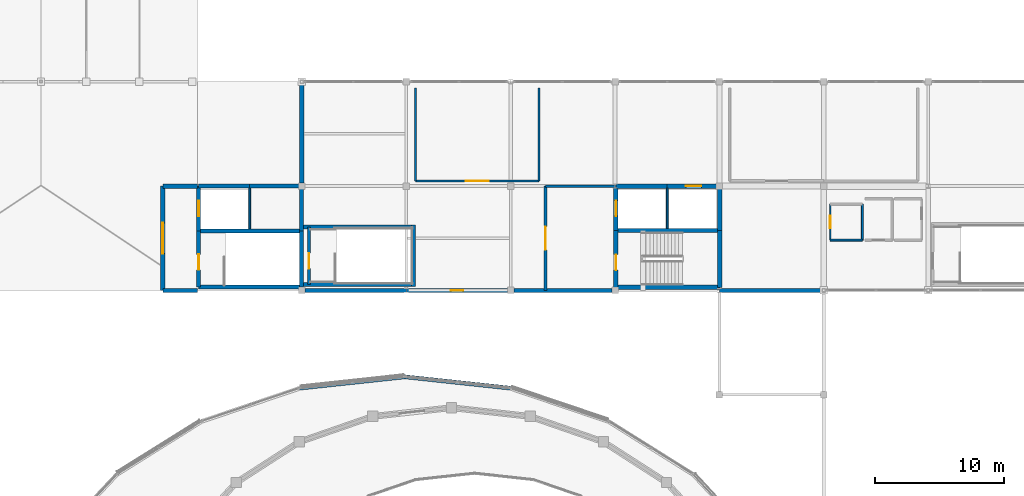
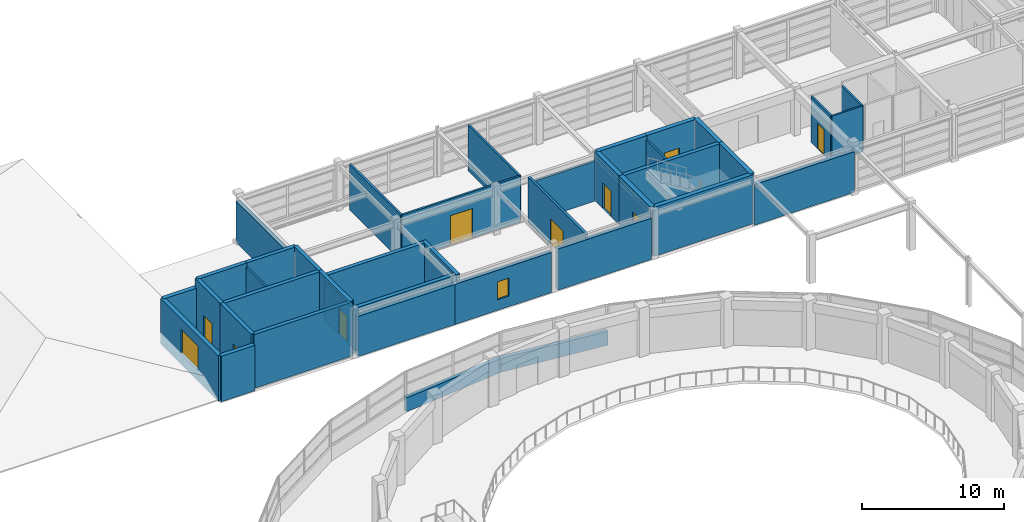
# One storey, part 43 of 54: 40 walls, 9 doors, 2 windows, 11 openings.
"""IFC4 building model written with IfcOpenShell, lengths in metres."""

from ifc_helpers import new_model, si_unit, direction, frame, frame_2d, origin, place, context, subcontext, project, spatial, rectangle, extrude, material, layer, layer_set, type_object, element, fill, save


model = new_model("IFC4")

# Units and contexts
model_context = context("Model", 3, precision=1e-05, world=origin(), true_north=direction((0.0, 1.0)))
body_context = subcontext(model_context, "Body", "Model", "MODEL_VIEW")
ifc_project = project(units=[si_unit("LENGTHUNIT", "METRE"), si_unit("AREAUNIT", "SQUARE_METRE"), si_unit("VOLUMEUNIT", "CUBIC_METRE"), si_unit("PLANEANGLEUNIT", "RADIAN"), si_unit("MASSUNIT", "GRAM", prefix="KILO")], contexts=[model_context])

# Site, building, storey
site_placement = place(None, origin())
site = spatial("IfcSite", under=ifc_project, at=site_placement, CompositionType="ELEMENT")
building_placement = place(site_placement, origin())
building = spatial("IfcBuilding", under=site, at=building_placement, Name="Parian Resonance Hall", CompositionType="ELEMENT")
storey_placement = place(building_placement, frame((0.0, 0.0, 15.0)))
storey = spatial("IfcBuildingStorey", under=building, at=storey_placement, Name="L03", CompositionType="ELEMENT", Elevation=15.0)

# Wall
ifc_material_1 = material(Name="Concrete C40/50", Category="concrete")
ifc_layer_1 = layer(ifc_material_1, 0.31005859375)
ifc_layer_set_1 = layer_set([ifc_layer_1], Name="Concrete C40/50")
wall_type_1 = type_object("IfcWallType", Name="CW310", PredefinedType="SHEAR", material=ifc_layer_set_1)
wall_1_placement = place(storey_placement, frame((56.77001953125, 77.550048828125, 0.0), z_axis=(0.0, 0.0, 1.0), x_axis=(1.0, 0.0, 0.0)))
element("IfcWall", 1, at=wall_1_placement, inside=storey, type_object=wall_type_1, Name="Core K1 stair-lift divider wall L03", PredefinedType="SHEAR", context=body_context, shape_type="SweptSolid", body=[
    extrude(rectangle(XDim=8.06005859375, YDim=0.31005859375, at=frame_2d((4.030029296875, 0.0))), origin(), (0.0, 0.0, 1.0), 4.199951171875),
])

# Wall, opening, door
wall_2_placement = place(storey_placement, frame((24.389892578125, 73.14990234375, 0.0), z_axis=(0.0, 0.0, 1.0), x_axis=(0.0, 1.0, 0.0)))
wall_2 = element("IfcWall", 2, at=wall_2_placement, inside=storey, type_object=wall_type_1, Name="Core K4 stairwell west shear wall L03", PredefinedType="SHEAR", context=body_context, shape_type="SweptSolid", body=[
    extrude(rectangle(XDim=4.360107421875, YDim=0.31005859375, at=frame_2d((2.18017578125, 0.0))), origin(), (0.0, 0.0, 1.0), 4.6201171875),
])
opening_1_placement = place(wall_2_placement, frame((1.35009765625, 0.0, 0.0)))
opening_1 = element("IfcOpeningElement", 3, at=opening_1_placement, cuts=wall_2, Name="Opening FD-01", PredefinedType="OPENING", context=body_context, shape_type="SweptSolid", body=[
    extrude(rectangle(XDim=1.199951171875, YDim=2.25, at=frame_2d((0.60009765625, 1.125))), frame((0.0, 0.1650390625, 0.0), z_axis=(0.0, -1.0, 0.0), x_axis=(1.0, 0.0, 0.0)), (0.0, 0.0, 1.0), 0.330078125),
])
ifc_material_2 = material(Name="Fire-rated acoustic steel and narra timber door", Category="steel")
door_type_1 = type_object("IfcDoorType", Name="FD-01", OperationType="NOTDEFINED", PredefinedType="DOOR", material=ifc_material_2)
door_1_placement = place(opening_1_placement, origin())
door_1 = element("IfcDoor", 4, at=door_1_placement, inside=storey, type_object=door_type_1, Name="Exit stair ST-04 fire door L03", OperationType="SINGLE_SWING_RIGHT", OverallHeight=2.25, OverallWidth=1.199951171875, PredefinedType="DOOR", context=body_context, shape_type="SweptSolid", body=[
    extrude(rectangle(XDim=1.199951171875, YDim=2.25, at=frame_2d((0.60009765625, 1.125))), frame((0.0, 0.02490234375, 0.0), z_axis=(0.0, -1.0, 0.0), x_axis=(1.0, 0.0, 0.0)), (0.0, 0.0, 1.0), 0.050048828125),
])
fill(opening_1, door_1)

wall_3_placement = place(storey_placement, frame((24.389892578125, 77.510009765625, 0.0), z_axis=(0.0, 0.0, 1.0), x_axis=(0.0, 1.0, 0.0)))
wall_3 = element("IfcWall", 5, at=wall_3_placement, inside=storey, type_object=wall_type_1, Name="Core K4 lift shaft west shear wall L03", PredefinedType="SHEAR", context=body_context, shape_type="SweptSolid", body=[
    extrude(rectangle(XDim=3.489990234375, YDim=0.31005859375, at=frame_2d((1.7451171875, 0.0))), origin(), (0.0, 0.0, 1.0), 4.6201171875),
])
opening_2_placement = place(wall_3_placement, frame((1.14501953125, 0.0, 0.0)))
opening_2 = element("IfcOpeningElement", 6, at=opening_2_placement, cuts=wall_3, Name="Opening LD-01", PredefinedType="OPENING", context=body_context, shape_type="SweptSolid", body=[
    extrude(rectangle(XDim=1.199951171875, YDim=2.199951171875, at=frame_2d((0.60009765625, 1.10009765625))), frame((0.0, 0.1650390625, 0.0), z_axis=(0.0, -1.0, 0.0), x_axis=(1.0, 0.0, 0.0)), (0.0, 0.0, 1.0), 0.330078125),
])
ifc_material_3 = material(Name="Stainless steel and bronze elevator cab", Category="steel")
door_type_2 = type_object("IfcDoorType", Name="DOOR-LIFT-1200x2200", OperationType="SLIDING_TO_LEFT", PredefinedType="DOOR", material=ifc_material_3)
door_2_placement = place(opening_2_placement, origin())
door_2 = element("IfcDoor", 7, at=door_2_placement, inside=storey, type_object=door_type_2, Name="Lift LF-05 sliding landing door L03", OperationType="SLIDING_TO_LEFT", OverallHeight=2.199951171875, OverallWidth=1.199951171875, PredefinedType="DOOR", context=body_context, shape_type="SweptSolid", body=[
    extrude(rectangle(XDim=1.199951171875, YDim=2.199951171875, at=frame_2d((0.60009765625, 1.10009765625))), frame((0.0, 0.02490234375, 0.0), z_axis=(0.0, -1.0, 0.0), x_axis=(1.0, 0.0, 0.0)), (0.0, 0.0, 1.0), 0.050048828125),
])
fill(opening_2, door_2)

# Walls
wall_4_placement = place(storey_placement, frame((24.389892578125, 81.0, 0.0), z_axis=(0.0, 0.0, 1.0), x_axis=(1.0, 0.0, 0.0)))
element("IfcWall", 8, at=wall_4_placement, inside=storey, type_object=wall_type_1, Name="Core K4 north-west shaft wall L03", PredefinedType="SHEAR", context=body_context, shape_type="SweptSolid", body=[
    extrude(rectangle(XDim=3.960205078125, YDim=0.31005859375, at=frame_2d((1.97998046875, 0.0))), origin(), (0.0, 0.0, 1.0), 4.6201171875),
])
wall_5_placement = place(storey_placement, frame((28.35009765625, 81.0, 0.0), z_axis=(0.0, 0.0, 1.0), x_axis=(1.0, 0.0, 0.0)))
element("IfcWall", 9, at=wall_5_placement, inside=storey, type_object=wall_type_1, Name="Core K4 north-east shaft wall L03", PredefinedType="SHEAR", context=body_context, shape_type="SweptSolid", body=[
    extrude(rectangle(XDim=4.02001953125, YDim=0.31005859375, at=frame_2d((2.010009765625, 0.0))), origin(), (0.0, 0.0, 1.0), 4.6201171875),
])
wall_6_placement = place(storey_placement, frame((32.3701171875, 81.0, 0.0), z_axis=(0.0, 0.0, 1.0), x_axis=(0.0, -1.0, 0.0)))
element("IfcWall", 10, at=wall_6_placement, inside=storey, type_object=wall_type_1, Name="Core K4 east shaft wall L03", PredefinedType="SHEAR", context=body_context, shape_type="SweptSolid", body=[
    extrude(rectangle(XDim=3.489990234375, YDim=0.31005859375, at=frame_2d((1.7451171875, 0.0))), origin(), (0.0, 0.0, 1.0), 4.6201171875),
])
wall_7_placement = place(storey_placement, frame((32.3701171875, 77.510009765625, 0.0), z_axis=(0.0, 0.0, 1.0), x_axis=(0.0, -1.0, 0.0)))
element("IfcWall", 11, at=wall_7_placement, inside=storey, type_object=wall_type_1, Name="Core K4 stairwell east wall L03", PredefinedType="SHEAR", context=body_context, shape_type="SweptSolid", body=[
    extrude(rectangle(XDim=4.360107421875, YDim=0.31005859375, at=frame_2d((2.18017578125, 0.0))), origin(), (0.0, 0.0, 1.0), 4.6201171875),
])
for number, where, z_axis, x_axis, name in (
    (12, (32.3701171875, 73.14990234375, 0.0), (0.0, 0.0, 1.0), (-1.0, 0.0, 0.0), "Core K4 stairwell south wall L03"),
    (13, (24.389892578125, 77.510009765625, 0.0), (0.0, 0.0, 1.0), (1.0, 0.0, 0.0), "Core K4 stair-lift divider wall L03"),
):
    element("IfcWall", number, at=place(storey_placement, frame(where, z_axis=z_axis, x_axis=x_axis)), inside=storey, type_object=wall_type_1, Name=name, PredefinedType="SHEAR", context=body_context, shape_type="SweptSolid", body=[
        extrude(rectangle(XDim=7.980224609375, YDim=0.31005859375, at=frame_2d((3.990234375, 0.0))), origin(), (0.0, 0.0, 1.0), 4.6201171875),
    ])
wall_8_placement = place(storey_placement, frame((32.39990234375, 73.35009765625, 0.0), z_axis=(0.0, 0.0, 1.0), x_axis=(1.0, 0.0, 0.0)))
element("IfcWall", 14, at=wall_8_placement, inside=storey, type_object=wall_type_1, Name="Enclosed foyer exit stair ST-07 shear wall L03-S", PredefinedType="SHEAR", context=body_context, shape_type="SweptSolid", body=[
    extrude(rectangle(XDim=8.795166015625, YDim=0.31005859375, at=frame_2d((4.3974609375, 0.0))), origin(), (0.0, 0.0, 1.0), 3.85009765625),
])
wall_9_placement = place(storey_placement, frame((41.0400390625, 73.195068359375, 0.0), z_axis=(0.0, 0.0, 1.0), x_axis=(0.0, 1.0, 0.0)))
element("IfcWall", 15, at=wall_9_placement, inside=storey, type_object=wall_type_1, Name="Enclosed foyer exit stair ST-07 shear wall L03-E", PredefinedType="SHEAR", context=body_context, shape_type="SweptSolid", body=[
    extrude(rectangle(XDim=4.7900390625, YDim=0.31005859375, at=frame_2d((2.39501953125, 0.0))), origin(), (0.0, 0.0, 1.0), 3.85009765625),
])
wall_10_placement = place(storey_placement, frame((41.195068359375, 77.830078125, 0.0), z_axis=(0.0, 0.0, 1.0), x_axis=(-1.0, 0.0, 0.0)))
element("IfcWall", 16, at=wall_10_placement, inside=storey, type_object=wall_type_1, Name="Enclosed foyer exit stair ST-07 shear wall L03-N", PredefinedType="SHEAR", context=body_context, shape_type="SweptSolid", body=[
    extrude(rectangle(XDim=8.795166015625, YDim=0.31005859375, at=frame_2d((4.3974609375, 0.0))), origin(), (0.0, 0.0, 1.0), 3.85009765625),
])

# Wall, opening, door
ifc_material_4 = material(Name="Concrete C40/50", Category="concrete")
ifc_layer_2 = layer(ifc_material_4, 0.35009765625)
ifc_layer_set_2 = layer_set([ifc_layer_2], Name="Concrete C40/50")
wall_type_2 = type_object("IfcWallType", Name="CW350", PredefinedType="SHEAR", material=ifc_layer_set_2)
wall_11_placement = place(storey_placement, frame((56.77001953125, 73.1298828125, 0.0), z_axis=(0.0, 0.0, 1.0), x_axis=(0.0, 1.0, 0.0)))
wall_11 = element("IfcWall", 17, at=wall_11_placement, inside=storey, type_object=wall_type_2, Name="Core K1 stairwell west shear wall L03", PredefinedType="SHEAR", context=body_context, shape_type="SweptSolid", body=[
    extrude(rectangle(XDim=4.420166015625, YDim=0.35009765625, at=frame_2d((2.2099609375, 0.0))), origin(), (0.0, 0.0, 1.0), 4.199951171875),
])
opening_3_placement = place(wall_11_placement, frame((1.35009765625, 0.0, 0.0)))
opening_3 = element("IfcOpeningElement", 18, at=opening_3_placement, cuts=wall_11, Name="Opening FD-01", PredefinedType="OPENING", context=body_context, shape_type="SweptSolid", body=[
    extrude(rectangle(XDim=1.199951171875, YDim=2.25, at=frame_2d((0.60009765625, 1.125))), frame((0.0, 0.18505859375, 0.0), z_axis=(0.0, -1.0, 0.0), x_axis=(1.0, 0.0, 0.0)), (0.0, 0.0, 1.0), 0.3701171875),
])
door_3_placement = place(opening_3_placement, origin())
door_3 = element("IfcDoor", 19, at=door_3_placement, inside=storey, type_object=door_type_1, Name="Exit stair ST-01 fire door L03", OperationType="SINGLE_SWING_LEFT", OverallHeight=2.25, OverallWidth=1.199951171875, PredefinedType="DOOR", context=body_context, shape_type="SweptSolid", body=[
    extrude(rectangle(XDim=1.199951171875, YDim=2.25, at=frame_2d((0.60009765625, 1.125))), frame((0.0, 0.02490234375, 0.0), z_axis=(0.0, -1.0, 0.0), x_axis=(1.0, 0.0, 0.0)), (0.0, 0.0, 1.0), 0.050048828125),
])
fill(opening_3, door_3)

wall_12_placement = place(storey_placement, frame((56.77001953125, 77.550048828125, 0.0), z_axis=(0.0, 0.0, 1.0), x_axis=(0.0, 1.0, 0.0)))
wall_12 = element("IfcWall", 20, at=wall_12_placement, inside=storey, type_object=wall_type_2, Name="Core K1 lift shaft west shear wall L03", PredefinedType="SHEAR", context=body_context, shape_type="SweptSolid", body=[
    extrude(rectangle(XDim=3.449951171875, YDim=0.35009765625, at=frame_2d((1.72509765625, 0.0))), origin(), (0.0, 0.0, 1.0), 4.199951171875),
])
opening_4_placement = place(wall_12_placement, frame((1.125, 0.0, 0.0)))
opening_4 = element("IfcOpeningElement", 21, at=opening_4_placement, cuts=wall_12, Name="Opening LD-01", PredefinedType="OPENING", context=body_context, shape_type="SweptSolid", body=[
    extrude(rectangle(XDim=1.199951171875, YDim=2.199951171875, at=frame_2d((0.60009765625, 1.10009765625))), frame((0.0, 0.18505859375, 0.0), z_axis=(0.0, -1.0, 0.0), x_axis=(1.0, 0.0, 0.0)), (0.0, 0.0, 1.0), 0.3701171875),
])
door_4_placement = place(opening_4_placement, origin())
door_4 = element("IfcDoor", 22, at=door_4_placement, inside=storey, type_object=door_type_2, Name="Lift LF-01 sliding landing door L03", OperationType="SLIDING_TO_LEFT", OverallHeight=2.199951171875, OverallWidth=1.199951171875, PredefinedType="DOOR", context=body_context, shape_type="SweptSolid", body=[
    extrude(rectangle(XDim=1.199951171875, YDim=2.199951171875, at=frame_2d((0.60009765625, 1.10009765625))), frame((0.0, 0.02490234375, 0.0), z_axis=(0.0, -1.0, 0.0), x_axis=(1.0, 0.0, 0.0)), (0.0, 0.0, 1.0), 0.050048828125),
])
fill(opening_4, door_4)

# Wall
wall_13_placement = place(storey_placement, frame((56.77001953125, 81.0, 0.0), z_axis=(0.0, 0.0, 1.0), x_axis=(1.0, 0.0, 0.0)))
element("IfcWall", 23, at=wall_13_placement, inside=storey, type_object=wall_type_2, Name="Core K1 north-west shaft wall L03", PredefinedType="SHEAR", context=body_context, shape_type="SweptSolid", body=[
    extrude(rectangle(XDim=3.97998046875, YDim=0.35009765625, at=frame_2d((1.989990234375, 0.0))), origin(), (0.0, 0.0, 1.0), 4.199951171875),
])

# Wall, opening, door
wall_14_placement = place(storey_placement, frame((60.75, 81.0, 0.0), z_axis=(0.0, 0.0, 1.0), x_axis=(1.0, 0.0, 0.0)))
wall_14 = element("IfcWall", 24, at=wall_14_placement, inside=storey, type_object=wall_type_2, Name="Core K1 north-east shaft wall L03", PredefinedType="SHEAR", context=body_context, shape_type="SweptSolid", body=[
    extrude(rectangle(XDim=4.080078125, YDim=0.35009765625, at=frame_2d((2.0400390625, 0.0))), origin(), (0.0, 0.0, 1.0), 4.199951171875),
])
opening_5_placement = place(wall_14_placement, frame((1.43994140625, 0.0, 0.0)))
opening_5 = element("IfcOpeningElement", 25, at=opening_5_placement, cuts=wall_14, Name="Opening LD-01", PredefinedType="OPENING", context=body_context, shape_type="SweptSolid", body=[
    extrude(rectangle(XDim=1.199951171875, YDim=2.199951171875, at=frame_2d((0.60009765625, 1.10009765625))), frame((0.0, 0.18505859375, 0.0), z_axis=(0.0, -1.0, 0.0), x_axis=(1.0, 0.0, 0.0)), (0.0, 0.0, 1.0), 0.3701171875),
])
door_5_placement = place(opening_5_placement, origin())
door_5 = element("IfcDoor", 26, at=door_5_placement, inside=storey, type_object=door_type_2, Name="Lift LF-03 sliding landing door L03", OperationType="SLIDING_TO_LEFT", OverallHeight=2.199951171875, OverallWidth=1.199951171875, PredefinedType="DOOR", context=body_context, shape_type="SweptSolid", body=[
    extrude(rectangle(XDim=1.199951171875, YDim=2.199951171875, at=frame_2d((0.60009765625, 1.10009765625))), frame((0.0, 0.02490234375, 0.0), z_axis=(0.0, -1.0, 0.0), x_axis=(1.0, 0.0, 0.0)), (0.0, 0.0, 1.0), 0.050048828125),
])
fill(opening_5, door_5)

# Walls
wall_15_placement = place(storey_placement, frame((64.830078125, 81.0, 0.0), z_axis=(0.0, 0.0, 1.0), x_axis=(0.0, -1.0, 0.0)))
element("IfcWall", 27, at=wall_15_placement, inside=storey, type_object=wall_type_2, Name="Core K1 east shaft wall L03", PredefinedType="SHEAR", context=body_context, shape_type="SweptSolid", body=[
    extrude(rectangle(XDim=3.449951171875, YDim=0.35009765625, at=frame_2d((1.72509765625, 0.0))), origin(), (0.0, 0.0, 1.0), 4.199951171875),
])
wall_16_placement = place(storey_placement, frame((64.830078125, 77.550048828125, 0.0), z_axis=(0.0, 0.0, 1.0), x_axis=(0.0, -1.0, 0.0)))
element("IfcWall", 28, at=wall_16_placement, inside=storey, type_object=wall_type_2, Name="Core K1 stairwell east wall L03", PredefinedType="SHEAR", context=body_context, shape_type="SweptSolid", body=[
    extrude(rectangle(XDim=4.420166015625, YDim=0.35009765625, at=frame_2d((2.2099609375, 0.0))), origin(), (0.0, 0.0, 1.0), 4.199951171875),
])
wall_17_placement = place(storey_placement, frame((64.830078125, 73.1298828125, 0.0), z_axis=(0.0, 0.0, 1.0), x_axis=(-1.0, 0.0, 0.0)))
element("IfcWall", 29, at=wall_17_placement, inside=storey, type_object=wall_type_2, Name="Core K1 stairwell south wall L03", PredefinedType="SHEAR", context=body_context, shape_type="SweptSolid", body=[
    extrude(rectangle(XDim=8.06005859375, YDim=0.35009765625, at=frame_2d((4.030029296875, 0.0))), origin(), (0.0, 0.0, 1.0), 4.199951171875),
])
ifc_material_5 = material(Name="Concrete C35/45 with white lime plaster and polychrome mosaic", Category="concrete")
ifc_layer_3 = layer(ifc_material_5, 0.320068359375)
ifc_layer_set_3 = layer_set([ifc_layer_3], Name="Concrete C35/45 with white lime plaster and polychrome mosaic")
wall_type_3 = type_object("IfcWallType", Name="EW-RING-320", PredefinedType="SOLIDWALL", material=ifc_layer_set_3)
for number, where, z_axis, x_axis, name in (
    (30, (40.39990234375, 66.199951171875, 0.0), (0.0, 0.0, 1.0), (0.994272266142, -0.106876848668, 0.0), "Elliptical R3 mosaic spandrel wall 06"),
    (31, (32.22119140625, 65.32080078125, 0.0), (0.0, 0.0, 1.0), (0.994272266142, 0.106876848668, 0.0), "Elliptical R3 mosaic spandrel wall 07"),
):
    element("IfcWall", number, at=place(storey_placement, frame(where, z_axis=z_axis, x_axis=x_axis)), inside=storey, type_object=wall_type_3, Name=name, PredefinedType="SOLIDWALL", context=body_context, shape_type="SweptSolid", body=[
        extrude(rectangle(XDim=8.225830078125, YDim=0.320068359375, at=frame_2d((4.11279296875, 0.0))), origin(), (0.0, 0.0, 1.0), 1.199951171875),
    ])
ifc_material_6 = material(Name="Concrete C35/45 with Carcar coral-limestone ashlar", Category="masonry")
ifc_layer_4 = layer(ifc_material_6, 0.340087890625)
ifc_layer_set_4 = layer_set([ifc_layer_4], Name="Concrete C35/45 with Carcar coral-limestone ashlar")
wall_type_4 = type_object("IfcWallType", Name="EW-STONE-340", PredefinedType="SOLIDWALL", material=ifc_layer_set_4)
wall_18_placement = place(storey_placement, frame((32.39990234375, 89.10009765625, 0.0), z_axis=(0.0, 0.0, 1.0), x_axis=(0.0, -1.0, 0.0)))
element("IfcWall", 32, at=wall_18_placement, inside=storey, type_object=wall_type_4, Name="Perimeter closure wall L03", PredefinedType="SOLIDWALL", context=body_context, shape_type="SweptSolid", body=[
    extrude(rectangle(XDim=7.85009765625, YDim=0.340087890625, at=frame_2d((3.925048828125, 0.0))), origin(), (0.0, 0.0, 1.0), 3.547119140625),
])
wall_19_placement = place(storey_placement, frame((24.300048828125, 81.0, 0.0), z_axis=(0.0, 0.0, 1.0), x_axis=(-1.0, 0.0, 0.0)))
element("IfcWall", 33, at=wall_19_placement, inside=storey, type_object=wall_type_4, Name="Perimeter closure wall L03", PredefinedType="SOLIDWALL", context=body_context, shape_type="SweptSolid", body=[
    extrude(rectangle(XDim=2.699951171875, YDim=0.340087890625, at=frame_2d((1.35009765625, 0.0))), origin(), (0.0, 0.0, 1.0), 3.89990234375),
])

# Wall, opening, window
wall_20_placement = place(storey_placement, frame((21.60009765625, 81.0, 0.0), z_axis=(0.0, 0.0, 1.0), x_axis=(0.0, -1.0, 0.0)))
wall_20 = element("IfcWall", 34, at=wall_20_placement, inside=storey, type_object=wall_type_4, Name="Perimeter closure wall L03", PredefinedType="SOLIDWALL", context=body_context, shape_type="SweptSolid", body=[
    extrude(rectangle(XDim=8.10009765625, YDim=0.340087890625, at=frame_2d((4.050048828125, 0.0))), origin(), (0.0, 0.0, 1.0), 3.89990234375),
])
opening_6_placement = place(wall_20_placement, frame((2.85009765625, 0.0, 0.89990234375)))
opening_6 = element("IfcOpeningElement", 35, at=opening_6_placement, cuts=wall_20, Name="Opening WN-43", PredefinedType="OPENING", context=body_context, shape_type="SweptSolid", body=[
    extrude(rectangle(XDim=2.39990234375, YDim=2.10009765625, at=frame_2d((1.199951171875, 1.050048828125))), frame((0.0, 0.179931640625, 0.0), z_axis=(0.0, -1.0, 0.0), x_axis=(1.0, 0.0, 0.0)), (0.0, 0.0, 1.0), 0.360107421875),
])
ifc_material_7 = material(Name="Acoustic laminated double glazing", Category="glass")
window_type_1 = type_object("IfcWindowType", Name="WIN-2400x2100", PartitioningType="SINGLE_PANEL", PredefinedType="WINDOW", material=ifc_material_7)
window_1_placement = place(opening_6_placement, origin())
window_1 = element("IfcWindow", 36, at=window_1_placement, inside=storey, type_object=window_type_1, Name="Acoustic window L03-0111", OverallHeight=2.10009765625, OverallWidth=2.39990234375, PartitioningType="SINGLE_PANEL", PredefinedType="WINDOW", context=body_context, shape_type="SweptSolid", body=[
    extrude(rectangle(XDim=2.39990234375, YDim=2.10009765625, at=frame_2d((1.199951171875, 1.050048828125))), frame((0.0, 0.030029296875, 0.0), z_axis=(0.0, -1.0, 0.0), x_axis=(1.0, 0.0, 0.0)), (0.0, 0.0, 1.0), 0.06005859375),
])
fill(opening_6, window_1)

# Walls
wall_21_placement = place(storey_placement, frame((21.60009765625, 72.89990234375, 0.0), z_axis=(0.0, 0.0, 1.0), x_axis=(1.0, 0.0, 0.0)))
element("IfcWall", 37, at=wall_21_placement, inside=storey, type_object=wall_type_4, Name="Perimeter closure wall L03", PredefinedType="SOLIDWALL", context=body_context, shape_type="SweptSolid", body=[
    extrude(rectangle(XDim=2.699951171875, YDim=0.340087890625, at=frame_2d((1.35009765625, 0.0))), origin(), (0.0, 0.0, 1.0), 3.89990234375),
])
wall_22_placement = place(storey_placement, frame((32.64990234375, 72.89990234375, 0.0), z_axis=(0.0, 0.0, 1.0), x_axis=(1.0, 0.0, 0.0)))
element("IfcWall", 38, at=wall_22_placement, inside=storey, type_object=wall_type_4, Name="Perimeter closure wall L03", PredefinedType="SOLIDWALL", context=body_context, shape_type="SweptSolid", body=[
    extrude(rectangle(XDim=7.85009765625, YDim=0.340087890625, at=frame_2d((3.925048828125, 0.0))), origin(), (0.0, 0.0, 1.0), 3.43505859375),
])

# Wall, opening, window
wall_23_placement = place(storey_placement, frame((40.5, 72.89990234375, 0.0), z_axis=(0.0, 0.0, 1.0), x_axis=(1.0, 0.0, 0.0)))
wall_23 = element("IfcWall", 39, at=wall_23_placement, inside=storey, type_object=wall_type_4, Name="Perimeter closure wall L03", PredefinedType="SOLIDWALL", context=body_context, shape_type="SweptSolid", body=[
    extrude(rectangle(XDim=7.85009765625, YDim=0.340087890625, at=frame_2d((3.925048828125, 0.0))), origin(), (0.0, 0.0, 1.0), 3.43505859375),
])
opening_7_placement = place(wall_23_placement, frame((3.449951171875, 0.0, 0.89990234375)))
opening_7 = element("IfcOpeningElement", 40, at=opening_7_placement, cuts=wall_23, Name="Opening WN-05", PredefinedType="OPENING", context=body_context, shape_type="SweptSolid", body=[
    extrude(rectangle(XDim=0.949951171875, YDim=1.550048828125, at=frame_2d((0.47509765625, 0.77490234375))), frame((0.0, 0.179931640625, 0.0), z_axis=(0.0, -1.0, 0.0), x_axis=(1.0, 0.0, 0.0)), (0.0, 0.0, 1.0), 0.360107421875),
])
ifc_material_8 = material(Name="Acoustic laminated double glazing", Category="glass")
window_type_2 = type_object("IfcWindowType", Name="WIN-950x1550", PartitioningType="SINGLE_PANEL", PredefinedType="WINDOW", material=ifc_material_8)
window_2_placement = place(opening_7_placement, origin())
window_2 = element("IfcWindow", 41, at=window_2_placement, inside=storey, type_object=window_type_2, Name="Acoustic window L03-0112", OverallHeight=1.550048828125, OverallWidth=0.949951171875, PartitioningType="SINGLE_PANEL", PredefinedType="WINDOW", context=body_context, shape_type="SweptSolid", body=[
    extrude(rectangle(XDim=0.949951171875, YDim=1.550048828125, at=frame_2d((0.47509765625, 0.77490234375))), frame((0.0, 0.030029296875, 0.0), z_axis=(0.0, -1.0, 0.0), x_axis=(1.0, 0.0, 0.0)), (0.0, 0.0, 1.0), 0.06005859375),
])
fill(opening_7, window_2)

# Walls
wall_24_placement = place(storey_placement, frame((48.85009765625, 72.89990234375, 0.0), z_axis=(0.0, 0.0, 1.0), x_axis=(1.0, 0.0, 0.0)))
element("IfcWall", 42, at=wall_24_placement, inside=storey, type_object=wall_type_4, Name="Perimeter closure wall L03", PredefinedType="SOLIDWALL", context=body_context, shape_type="SweptSolid", body=[
    extrude(rectangle(XDim=7.599853515625, YDim=0.340087890625, at=frame_2d((3.7998046875, 0.0))), origin(), (0.0, 0.0, 1.0), 3.537109375),
])
wall_25_placement = place(storey_placement, frame((64.800048828125, 72.89990234375, 0.0), z_axis=(0.0, 0.0, 1.0), x_axis=(1.0, 0.0, 0.0)))
element("IfcWall", 43, at=wall_25_placement, inside=storey, type_object=wall_type_4, Name="Perimeter closure wall L03", PredefinedType="SOLIDWALL", context=body_context, shape_type="SweptSolid", body=[
    extrude(rectangle(XDim=8.099853515625, YDim=0.340087890625, at=frame_2d((4.0498046875, 0.0))), origin(), (0.0, 0.0, 1.0), 3.485107421875),
])

# Wall, opening, door
ifc_material_9 = material(Name="Concrete C35/45 fire barrier", Category="concrete")
ifc_layer_5 = layer(ifc_material_9, 0.199951171875)
ifc_layer_set_5 = layer_set([ifc_layer_5], Name="Concrete C35/45 fire barrier")
wall_type_5 = type_object("IfcWallType", Name="FW200", PredefinedType="PARTITIONING", material=ifc_layer_set_5)
wall_26_placement = place(storey_placement, frame((51.300048828125, 72.89990234375, 0.0), z_axis=(0.0, 0.0, 1.0), x_axis=(0.0, 1.0, 0.0)))
wall_26 = element("IfcWall", 44, at=wall_26_placement, inside=storey, type_object=wall_type_5, Name="Firefighting lift lobby K1 west fire barrier L03", PredefinedType="PARTITIONING", context=body_context, shape_type="SweptSolid", body=[
    extrude(rectangle(XDim=8.10009765625, YDim=0.199951171875, at=frame_2d((4.050048828125, 0.0))), origin(), (0.0, 0.0, 1.0), 3.89990234375),
])
opening_8_placement = place(wall_26_placement, frame((3.14990234375, 0.0, 0.0)))
opening_8 = element("IfcOpeningElement", 45, at=opening_8_placement, cuts=wall_26, Name="Opening FD-02", PredefinedType="OPENING", context=body_context, shape_type="SweptSolid", body=[
    extrude(rectangle(XDim=1.800048828125, YDim=2.25, at=frame_2d((0.89990234375, 1.125))), frame((0.0, 0.10986328125, 0.0), z_axis=(0.0, -1.0, 0.0), x_axis=(1.0, 0.0, 0.0)), (0.0, 0.0, 1.0), 0.219970703125),
])
ifc_material_10 = material(Name="Fire-rated acoustic steel and narra timber door", Category="steel")
door_type_3 = type_object("IfcDoorType", Name="FD-02", OperationType="NOTDEFINED", PredefinedType="DOOR", material=ifc_material_10)
door_6_placement = place(opening_8_placement, origin())
door_6 = element("IfcDoor", 46, at=door_6_placement, inside=storey, type_object=door_type_3, Name="Firefighting lift lobby K1 smoke-seal fire door L03", OperationType="DOUBLE_DOOR_SINGLE_SWING", OverallHeight=2.25, OverallWidth=1.800048828125, PredefinedType="DOOR", context=body_context, shape_type="SweptSolid", body=[
    extrude(rectangle(XDim=1.800048828125, YDim=2.25, at=frame_2d((0.89990234375, 1.125))), frame((0.0, 0.02490234375, 0.0), z_axis=(0.0, -1.0, 0.0), x_axis=(1.0, 0.0, 0.0)), (0.0, 0.0, 1.0), 0.050048828125),
])
fill(opening_8, door_6)

# Wall
wall_27_placement = place(storey_placement, frame((51.300048828125, 81.0, 0.0), z_axis=(0.0, 0.0, 1.0), x_axis=(1.0, 0.0, 0.0)))
element("IfcWall", 47, at=wall_27_placement, inside=storey, type_object=wall_type_5, Name="Firefighting lift lobby K1 N fire barrier L03", PredefinedType="PARTITIONING", context=body_context, shape_type="SweptSolid", body=[
    extrude(rectangle(XDim=5.469970703125, YDim=0.199951171875, at=frame_2d((2.73486328125, 0.0))), origin(), (0.0, 0.0, 1.0), 3.4208984375),
])

# Wall, opening, door
wall_28_placement = place(storey_placement, frame((32.949951171875, 73.35009765625, 0.0), z_axis=(0.0, 0.0, 1.0), x_axis=(0.0, 1.0, 0.0)))
wall_28 = element("IfcWall", 48, at=wall_28_placement, inside=storey, type_object=wall_type_5, Name="Enclosed foyer exit stair ST-07 fire-door front wall L03", PredefinedType="PARTITIONING", context=body_context, shape_type="SweptSolid", body=[
    extrude(rectangle(XDim=4.47998046875, YDim=0.199951171875, at=frame_2d((2.239990234375, 0.0))), origin(), (0.0, 0.0, 1.0), 3.5),
])
opening_9_placement = place(wall_28_placement, frame((1.25, 0.0, 0.0)))
opening_9 = element("IfcOpeningElement", 49, at=opening_9_placement, cuts=wall_28, Name="Opening FD-01", PredefinedType="OPENING", context=body_context, shape_type="SweptSolid", body=[
    extrude(rectangle(XDim=1.199951171875, YDim=2.25, at=frame_2d((0.60009765625, 1.125))), frame((0.0, 0.10986328125, 0.0), z_axis=(0.0, -1.0, 0.0), x_axis=(1.0, 0.0, 0.0)), (0.0, 0.0, 1.0), 0.219970703125),
])
door_7_placement = place(opening_9_placement, origin())
door_7 = element("IfcDoor", 50, at=door_7_placement, inside=storey, type_object=door_type_1, Name="Exit stair ST-07 fire door L03", OperationType="SINGLE_SWING_LEFT", OverallHeight=2.25, OverallWidth=1.199951171875, PredefinedType="DOOR", context=body_context, shape_type="SweptSolid", body=[
    extrude(rectangle(XDim=1.199951171875, YDim=2.25, at=frame_2d((0.60009765625, 1.125))), frame((0.0, 0.02490234375, 0.0), z_axis=(0.0, -1.0, 0.0), x_axis=(1.0, 0.0, 0.0)), (0.0, 0.0, 1.0), 0.050048828125),
])
fill(opening_9, door_7)

# Walls
ifc_material_11 = material(Name="Concrete C35/45 acoustic plumbing chase wall", Category="concrete")
ifc_layer_6 = layer(ifc_material_11, 0.14990234375)
ifc_layer_set_6 = layer_set([ifc_layer_6], Name="Concrete C35/45 acoustic plumbing chase wall")
wall_type_6 = type_object("IfcWallType", Name="PW150", PredefinedType="PLUMBINGWALL", material=ifc_layer_set_6)
wall_29_placement = place(storey_placement, frame((60.75, 77.7099609375, 0.0), z_axis=(0.0, 0.0, 1.0), x_axis=(0.0, 1.0, 0.0)))
element("IfcWall", 51, at=wall_29_placement, inside=storey, type_object=wall_type_6, Name="Core K1 shaft plumbing/riser divider L03", PredefinedType="PLUMBINGWALL", context=body_context, shape_type="SweptSolid", body=[
    extrude(rectangle(XDim=3.130126953125, YDim=0.14990234375, at=frame_2d((1.56494140625, 0.0))), origin(), (0.0, 0.0, 1.0), 3.85009765625),
])
wall_30_placement = place(storey_placement, frame((28.35009765625, 77.669921875, 0.0), z_axis=(0.0, 0.0, 1.0), x_axis=(0.0, 1.0, 0.0)))
element("IfcWall", 52, at=wall_30_placement, inside=storey, type_object=wall_type_6, Name="Core K4 shaft plumbing/riser divider L03", PredefinedType="PLUMBINGWALL", context=body_context, shape_type="SweptSolid", body=[
    extrude(rectangle(XDim=3.170166015625, YDim=0.14990234375, at=frame_2d((1.5849609375, 0.0))), origin(), (0.0, 0.0, 1.0), 4.27001953125),
])
wall_31_placement = place(storey_placement, frame((75.89990234375, 79.60009765625, 0.0), z_axis=(0.0, 0.0, 1.0), x_axis=(0.0, -1.0, 0.0)))
element("IfcWall", 53, at=wall_31_placement, inside=storey, type_object=wall_type_6, Name="Interior acoustic partition IW-L03-0205", PredefinedType="PLUMBINGWALL", context=body_context, shape_type="SweptSolid", body=[
    extrude(rectangle(XDim=2.800048828125, YDim=0.14990234375, at=frame_2d((1.39990234375, 0.0))), origin(), (0.0, 0.0, 1.0), 3.919921875),
])
wall_32_placement = place(storey_placement, frame((75.89990234375, 76.800048828125, 0.0), z_axis=(0.0, 0.0, 1.0), x_axis=(-1.0, 0.0, 0.0)))
element("IfcWall", 54, at=wall_32_placement, inside=storey, type_object=wall_type_6, Name="Interior acoustic partition IW-L03-0206", PredefinedType="PLUMBINGWALL", context=body_context, shape_type="SweptSolid", body=[
    extrude(rectangle(XDim=2.5, YDim=0.14990234375, at=frame_2d((1.25, 0.0))), origin(), (0.0, 0.0, 1.0), 3.919921875),
])

# Wall, opening, door
wall_33_placement = place(storey_placement, frame((73.39990234375, 76.800048828125, 0.0), z_axis=(0.0, 0.0, 1.0), x_axis=(0.0, 1.0, 0.0)))
wall_33 = element("IfcWall", 55, at=wall_33_placement, inside=storey, type_object=wall_type_6, Name="Interior acoustic partition IW-L03-0207", PredefinedType="PLUMBINGWALL", context=body_context, shape_type="SweptSolid", body=[
    extrude(rectangle(XDim=2.800048828125, YDim=0.14990234375, at=frame_2d((1.39990234375, 0.0))), origin(), (0.0, 0.0, 1.0), 3.919921875),
])
opening_10_placement = place(wall_33_placement, frame((0.919921875, 0.0, 0.0)))
opening_10 = element("IfcOpeningElement", 56, at=opening_10_placement, cuts=wall_33, Name="Opening ID-21", PredefinedType="OPENING", context=body_context, shape_type="SweptSolid", body=[
    extrude(rectangle(XDim=0.9599609375, YDim=2.159912109375, at=frame_2d((0.47998046875, 1.080078125))), frame((0.0, 0.0849609375, 0.0), z_axis=(0.0, -1.0, 0.0), x_axis=(1.0, 0.0, 0.0)), (0.0, 0.0, 1.0), 0.169921875),
])
ifc_material_12 = material(Name="Philippine narra acoustic timber door", Category="wood")
door_type_4 = type_object("IfcDoorType", Name="ID-AWC-0960x2160", OperationType="NOTDEFINED", PredefinedType="DOOR", material=ifc_material_12)
door_8_placement = place(opening_10_placement, origin())
door_8 = element("IfcDoor", 57, at=door_8_placement, inside=storey, type_object=door_type_4, Name="Accessible WC W1 door", OperationType="SINGLE_SWING_RIGHT", OverallHeight=2.159912109375, OverallWidth=0.9599609375, PredefinedType="DOOR", context=body_context, shape_type="SweptSolid", body=[
    extrude(rectangle(XDim=0.9599609375, YDim=2.159912109375, at=frame_2d((0.47998046875, 1.080078125))), frame((0.0, 0.02490234375, 0.0), z_axis=(0.0, -1.0, 0.0), x_axis=(1.0, 0.0, 0.0)), (0.0, 0.0, 1.0), 0.050048828125),
])
fill(opening_10, door_8)

# Wall
ifc_material_13 = material(Name="Concrete C35/45 acoustic masonry partition", Category="masonry")
ifc_layer_7 = layer(ifc_material_13, 0.159912109375)
ifc_layer_set_7 = layer_set([ifc_layer_7], Name="Concrete C35/45 acoustic masonry partition")
wall_type_7 = type_object("IfcWallType", Name="PW160", PredefinedType="PARTITIONING", material=ifc_layer_set_7)
wall_34_placement = place(storey_placement, frame((50.800048828125, 88.60009765625, 0.0), z_axis=(0.0, 0.0, 1.0), x_axis=(0.0, -1.0, 0.0)))
element("IfcWall", 58, at=wall_34_placement, inside=storey, type_object=wall_type_7, Name="Interior acoustic partition IW-L03-0225", PredefinedType="PARTITIONING", context=body_context, shape_type="SweptSolid", body=[
    extrude(rectangle(XDim=7.2001953125, YDim=0.159912109375, at=frame_2d((3.60009765625, 0.0))), origin(), (0.0, 0.0, 1.0), 3.919921875),
])

# Wall, opening, door
wall_35_placement = place(storey_placement, frame((50.800048828125, 81.39990234375, 0.0), z_axis=(0.0, 0.0, 1.0), x_axis=(-1.0, 0.0, 0.0)))
wall_35 = element("IfcWall", 59, at=wall_35_placement, inside=storey, type_object=wall_type_7, Name="Interior acoustic partition IW-L03-0226", PredefinedType="PARTITIONING", context=body_context, shape_type="SweptSolid", body=[
    extrude(rectangle(XDim=9.60009765625, YDim=0.159912109375, at=frame_2d((4.800048828125, 0.0))), origin(), (0.0, 0.0, 1.0), 3.919921875),
])
opening_11_placement = place(wall_35_placement, frame((3.89990234375, 0.0, 0.0)))
opening_11 = element("IfcOpeningElement", 60, at=opening_11_placement, cuts=wall_35, Name="Opening ID-06", PredefinedType="OPENING", context=body_context, shape_type="SweptSolid", body=[
    extrude(rectangle(XDim=1.800048828125, YDim=2.5, at=frame_2d((0.89990234375, 1.25))), frame((0.0, 0.08984375, 0.0), z_axis=(0.0, -1.0, 0.0), x_axis=(1.0, 0.0, 0.0)), (0.0, 0.0, 1.0), 0.179931640625),
])
ifc_material_14 = material(Name="Fire-rated acoustic steel and narra timber door", Category="steel")
door_type_5 = type_object("IfcDoorType", Name="ID-REH-1800x2500", OperationType="NOTDEFINED", PredefinedType="DOOR", material=ifc_material_14)
door_9_placement = place(opening_11_placement, origin())
door_9 = element("IfcDoor", 61, at=door_9_placement, inside=storey, type_object=door_type_5, Name="Music Pedagogy Seminar Room 01 door", OperationType="DOUBLE_DOOR_SINGLE_SWING", OverallHeight=2.5, OverallWidth=1.800048828125, PredefinedType="DOOR", context=body_context, shape_type="SweptSolid", body=[
    extrude(rectangle(XDim=1.800048828125, YDim=2.5, at=frame_2d((0.89990234375, 1.25))), frame((0.0, 0.02490234375, 0.0), z_axis=(0.0, -1.0, 0.0), x_axis=(1.0, 0.0, 0.0)), (0.0, 0.0, 1.0), 0.050048828125),
])
fill(opening_11, door_9)

# Wall
wall_36_placement = place(storey_placement, frame((41.199951171875, 81.39990234375, 0.0), z_axis=(0.0, 0.0, 1.0), x_axis=(0.0, 1.0, 0.0)))
element("IfcWall", 62, at=wall_36_placement, inside=storey, type_object=wall_type_7, Name="Interior acoustic partition IW-L03-0227", PredefinedType="PARTITIONING", context=body_context, shape_type="SweptSolid", body=[
    extrude(rectangle(XDim=7.2001953125, YDim=0.159912109375, at=frame_2d((3.60009765625, 0.0))), origin(), (0.0, 0.0, 1.0), 3.919921875),
])

save(model, "model.ifc")
